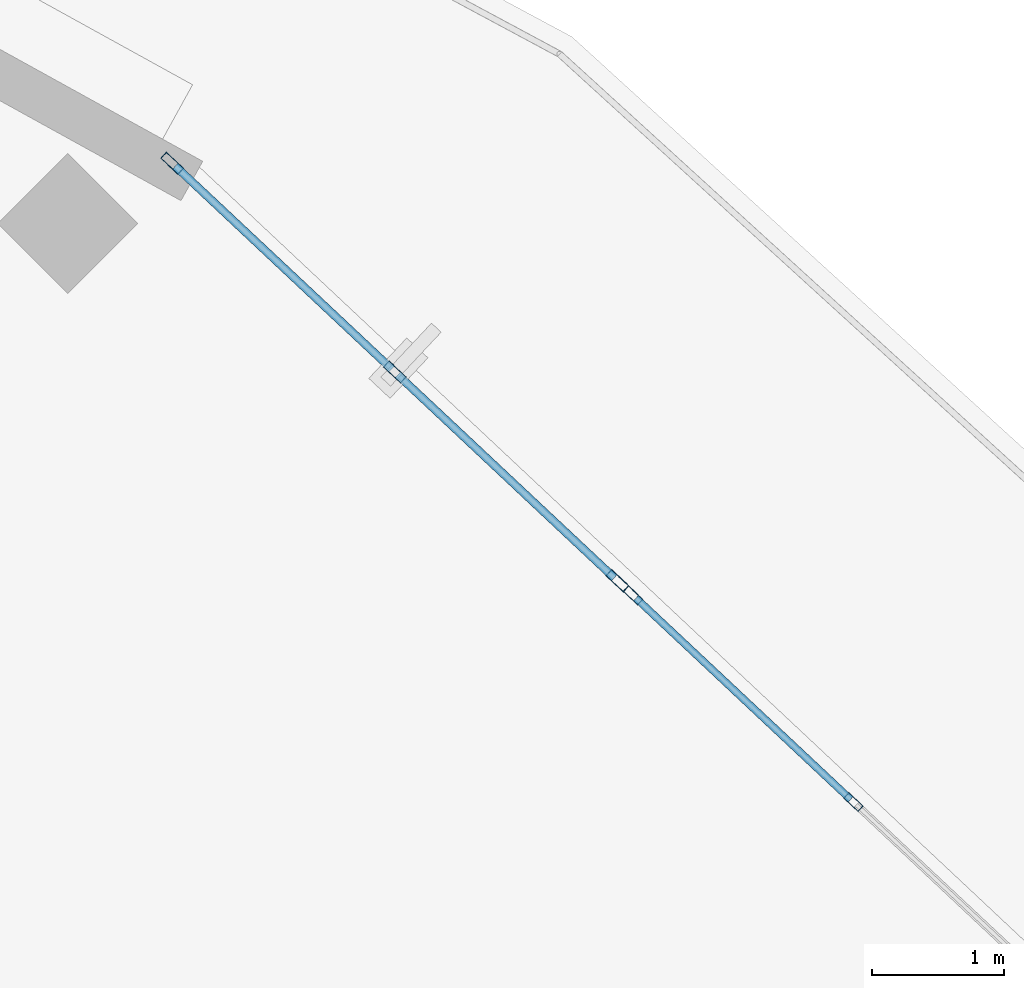
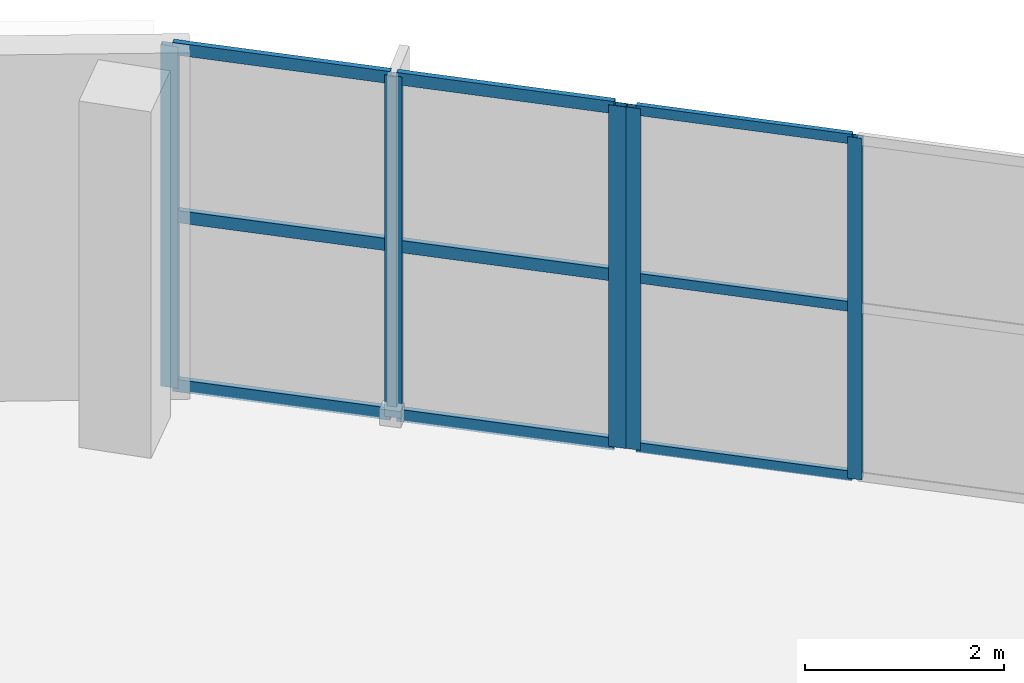
# One storey, part 59 of 107: 14 members, 2 elements without a shape of their own.
"""IFC4 building model written with IfcOpenShell, lengths in metres."""

from ifc_helpers import new_model, si_unit, direction, frame, origin, origin_2d, place, context, subcontext, project, spatial, hollow_rectangle, extrude, material, layer, layer_set, material_profile, profile_set, type_object, element, aggregate, save


model = new_model("IFC4")

# Units and contexts
model_context = context("Model", 3, precision=1e-05, world=origin(), true_north=direction((0.0, 1.0)))
body_context = subcontext(model_context, "Body", "Model", "MODEL_VIEW")
ifc_project = project(units=[si_unit("LENGTHUNIT", "METRE"), si_unit("AREAUNIT", "SQUARE_METRE"), si_unit("VOLUMEUNIT", "CUBIC_METRE"), si_unit("PLANEANGLEUNIT", "RADIAN"), si_unit("MASSUNIT", "GRAM", prefix="KILO")], contexts=[model_context])

# Site, building, storey
site_placement = place(None, origin())
site = spatial("IfcSite", under=ifc_project, at=site_placement, CompositionType="ELEMENT")
building_placement = place(site_placement, origin())
building = spatial("IfcBuilding", under=site, at=building_placement, Name="Kalgoora Escarpment Arena", CompositionType="ELEMENT")
storey_placement = place(building_placement, frame((0.0, 0.0, 5.39990234375)))
storey = spatial("IfcBuildingStorey", under=building, at=storey_placement, Name="L01", CompositionType="ELEMENT", Elevation=5.39990234375)

# Curtain wall, members
ifc_material_1 = material(Name=" Champagne anodised aluminium & double-glazed low-E", Category="aluminium")
ifc_layer_1 = layer(ifc_material_1, 0.154052734375)
ifc_layer_set_1 = layer_set([ifc_layer_1], Name="CW-UNIT-11")
curtain_wall_type_1 = type_object("IfcCurtainWallType", Name="CW-UNIT-11", PredefinedType="NOTDEFINED", material=ifc_layer_set_1)
curtain_wall_1_placement = place(storey_placement, origin())
curtain_wall_1 = element("IfcCurtainWall", 1, at=curtain_wall_1_placement, inside=storey, type_object=curtain_wall_type_1, Name="L01 unitised facade curtain wall 030", PredefinedType="NOTDEFINED")
ifc_material_2 = material(Name="Anodised aluminium 6063-T6", Category="aluminium")
ifc_material_profile_1 = material_profile(ifc_material_2, hollow_rectangle(XDim=0.06005859375, YDim=0.14990234375, WallThickness=0.00341796875, at=origin_2d()))
ifc_profile_set_1 = profile_set([ifc_material_profile_1], Name="Anodised aluminium 6063-T6")
member_type_1 = type_object("IfcMemberType", Name="MEM-CW-MULL-150", PredefinedType="MULLION", material=ifc_profile_set_1)
member_1_placement = place(storey_placement, frame((157.35107421875, 104.88134765625, 0.02001953125), z_axis=(0.0, 0.0, 1.0), x_axis=(0.684029332713, 0.729454503029, 0.0)))
member_1 = element("IfcMember", 2, at=member_1_placement, type_object=member_type_1, Name="CW-11 mullion 1", PredefinedType="MULLION", context=body_context, shape_type="SweptSolid", body=[
    extrude(hollow_rectangle(XDim=0.06005859375, YDim=0.14990234375, WallThickness=0.00341796875, at=origin_2d()), origin(), (0.0, 0.0, 1.0), 4.190185546875),
])
member_2_placement = place(storey_placement, frame((159.02099609375, 103.3154296875, 0.02001953125), z_axis=(0.0, 0.0, 1.0), x_axis=(0.684029332713, 0.729454503029, 0.0)))
member_2 = element("IfcMember", 3, at=member_2_placement, type_object=member_type_1, Name="CW-11 mullion 2", PredefinedType="MULLION", context=body_context, shape_type="SweptSolid", body=[
    extrude(hollow_rectangle(XDim=0.06005859375, YDim=0.14990234375, WallThickness=0.00341796875, at=origin_2d()), origin(), (0.0, 0.0, 1.0), 4.190185546875),
])

ifc_material_3 = material(Name=" Champagne anodised aluminium & double-glazed low-E", Category="aluminium")
ifc_layer_2 = layer(ifc_material_3, 0.14990234375)
ifc_layer_set_2 = layer_set([ifc_layer_2], Name="CW-UNIT-10")
curtain_wall_type_2 = type_object("IfcCurtainWallType", Name="CW-UNIT-10", PredefinedType="NOTDEFINED", material=ifc_layer_set_2)
curtain_wall_2_placement = place(storey_placement, origin())
curtain_wall_2 = element("IfcCurtainWall", 4, at=curtain_wall_2_placement, inside=storey, type_object=curtain_wall_type_2, Name="L01 unitised facade curtain wall 029", PredefinedType="NOTDEFINED")
ifc_material_4 = material(Name="Anodised aluminium 6063-T6", Category="aluminium")
ifc_material_profile_2 = material_profile(ifc_material_4, hollow_rectangle(XDim=0.06494140625, YDim=0.179931640625, WallThickness=0.00390625, at=origin_2d()))
ifc_profile_set_2 = profile_set([ifc_material_profile_2], Name="Anodised aluminium 6063-T6")
member_type_2 = type_object("IfcMemberType", Name="MEM-CW-MULL-180", PredefinedType="MULLION", material=ifc_profile_set_2)
member_3_placement = place(storey_placement, frame((153.85986328125, 108.1552734375, 0.02001953125), z_axis=(0.0, 0.0, 1.0), x_axis=(0.684037612676, 0.729446738593, 0.0)))
member_3 = element("IfcMember", 5, at=member_3_placement, type_object=member_type_2, Name="CW-10 mullion 1", PredefinedType="MULLION", context=body_context, shape_type="SweptSolid", body=[
    extrude(hollow_rectangle(XDim=0.06494140625, YDim=0.179931640625, WallThickness=0.00390625, at=origin_2d()), origin(), (0.0, 0.0, 1.0), 4.190185546875),
])
member_4_placement = place(storey_placement, frame((155.546142578125, 106.57373046875, 0.02001953125), z_axis=(0.0, 0.0, 1.0), x_axis=(0.684037612676, 0.729446738593, 0.0)))
member_4 = element("IfcMember", 6, at=member_4_placement, type_object=member_type_2, Name="CW-10 mullion 2", PredefinedType="MULLION", context=body_context, shape_type="SweptSolid", body=[
    extrude(hollow_rectangle(XDim=0.06494140625, YDim=0.179931640625, WallThickness=0.00390625, at=origin_2d()), origin(), (0.0, 0.0, 1.0), 4.190185546875),
])
member_5_placement = place(storey_placement, frame((157.232421875, 104.992431640625, 0.02001953125), z_axis=(0.0, 0.0, 1.0), x_axis=(0.684037612676, 0.729446738593, 0.0)))
member_5 = element("IfcMember", 7, at=member_5_placement, type_object=member_type_2, Name="CW-10 mullion 3", PredefinedType="MULLION", context=body_context, shape_type="SweptSolid", body=[
    extrude(hollow_rectangle(XDim=0.06494140625, YDim=0.179931640625, WallThickness=0.00390625, at=origin_2d()), origin(), (0.0, 0.0, 1.0), 4.190185546875),
])

# Member
ifc_material_5 = material(Name="Anodised aluminium 6063-T6", Category="aluminium")
ifc_material_profile_3 = material_profile(ifc_material_5, hollow_rectangle(XDim=0.054931640625, YDim=0.1201171875, WallThickness=0.003173828125, at=origin_2d()))
ifc_profile_set_3 = profile_set([ifc_material_profile_3], Name="Anodised aluminium 6063-T6")
member_type_3 = type_object("IfcMemberType", Name="MEM-CW-TRAN-120", PredefinedType="USERDEFINED", material=ifc_profile_set_3)
member_6_placement = place(storey_placement, frame((157.373046875, 104.86083984375, 0.047607421875), z_axis=(0.729414236644, -0.684072270583, 0.0), x_axis=(0.684072270583, 0.729414236644, 0.0)))
member_6 = element("IfcMember", 8, at=member_6_placement, type_object=member_type_3, Name="CW-11 transom 1.1", ObjectType="TRANSOM", PredefinedType="USERDEFINED", context=body_context, shape_type="SweptSolid", body=[
    extrude(hollow_rectangle(XDim=0.054931640625, YDim=0.1201171875, WallThickness=0.003173828125, at=origin_2d()), origin(), (0.0, 0.0, 1.0), 2.229248046875),
])

member_7_placement = place(storey_placement, frame((157.373046875, 104.86083984375, 2.125), z_axis=(0.729414236644, -0.684072270583, 0.0), x_axis=(0.684072270583, 0.729414236644, 0.0)))
member_7 = element("IfcMember", 9, at=member_7_placement, type_object=member_type_3, Name="CW-11 transom 1.2", ObjectType="TRANSOM", PredefinedType="USERDEFINED", context=body_context, shape_type="SweptSolid", body=[
    extrude(hollow_rectangle(XDim=0.054931640625, YDim=0.1201171875, WallThickness=0.003173828125, at=origin_2d()), origin(), (0.0, 0.0, 1.0), 2.229248046875),
])

member_8_placement = place(storey_placement, frame((157.373046875, 104.86083984375, 4.1826171875), z_axis=(0.729414236644, -0.684072270583, 0.0), x_axis=(0.684072270583, 0.729414236644, 0.0)))
member_8 = element("IfcMember", 10, at=member_8_placement, type_object=member_type_3, Name="CW-11 transom 1.3", ObjectType="TRANSOM", PredefinedType="USERDEFINED", context=body_context, shape_type="SweptSolid", body=[
    extrude(hollow_rectangle(XDim=0.054931640625, YDim=0.1201171875, WallThickness=0.003173828125, at=origin_2d()), origin(), (0.0, 0.0, 1.0), 2.229248046875),
])

aggregate(curtain_wall_1, [member_1, member_2, member_6, member_7, member_8])

ifc_material_6 = material(Name="Anodised aluminium 6063-T6", Category="aluminium")
ifc_material_profile_4 = material_profile(ifc_material_6, hollow_rectangle(XDim=0.06005859375, YDim=0.14990234375, WallThickness=0.00341796875, at=origin_2d()))
ifc_profile_set_4 = profile_set([ifc_material_profile_4], Name="Anodised aluminium 6063-T6")
member_type_4 = type_object("IfcMemberType", Name="MEM-CW-TRAN-150", PredefinedType="USERDEFINED", material=ifc_profile_set_4)
member_9_placement = place(storey_placement, frame((153.883544921875, 108.133056640625, 0.050048828125), z_axis=(0.729452482327, -0.684031487599, 0.0), x_axis=(0.684031487599, 0.729452482327, 0.0)))
member_9 = element("IfcMember", 11, at=member_9_placement, type_object=member_type_4, Name="CW-10 transom 1.1", ObjectType="TRANSOM", PredefinedType="USERDEFINED", context=body_context, shape_type="SweptSolid", body=[
    extrude(hollow_rectangle(XDim=0.06005859375, YDim=0.14990234375, WallThickness=0.00341796875, at=origin_2d()), origin(), (0.0, 0.0, 1.0), 2.246826171875),
])

member_10_placement = place(storey_placement, frame((153.883544921875, 108.133056640625, 2.125), z_axis=(0.729452482327, -0.684031487599, 0.0), x_axis=(0.684031487599, 0.729452482327, 0.0)))
member_10 = element("IfcMember", 12, at=member_10_placement, type_object=member_type_4, Name="CW-10 transom 1.2", ObjectType="TRANSOM", PredefinedType="USERDEFINED", context=body_context, shape_type="SweptSolid", body=[
    extrude(hollow_rectangle(XDim=0.06005859375, YDim=0.14990234375, WallThickness=0.00341796875, at=origin_2d()), origin(), (0.0, 0.0, 1.0), 2.246826171875),
])

member_11_placement = place(storey_placement, frame((153.883544921875, 108.133056640625, 4.18017578125), z_axis=(0.729452482327, -0.684031487599, 0.0), x_axis=(0.684031487599, 0.729452482327, 0.0)))
member_11 = element("IfcMember", 13, at=member_11_placement, type_object=member_type_4, Name="CW-10 transom 1.3", ObjectType="TRANSOM", PredefinedType="USERDEFINED", context=body_context, shape_type="SweptSolid", body=[
    extrude(hollow_rectangle(XDim=0.06005859375, YDim=0.14990234375, WallThickness=0.00341796875, at=origin_2d()), origin(), (0.0, 0.0, 1.0), 2.246826171875),
])

member_12_placement = place(storey_placement, frame((155.56982421875, 106.551513671875, 0.050048828125), z_axis=(0.729452482327, -0.684031487599, 0.0), x_axis=(0.684031487599, 0.729452482327, 0.0)))
member_12 = element("IfcMember", 14, at=member_12_placement, type_object=member_type_4, Name="CW-10 transom 2.1", ObjectType="TRANSOM", PredefinedType="USERDEFINED", context=body_context, shape_type="SweptSolid", body=[
    extrude(hollow_rectangle(XDim=0.06005859375, YDim=0.14990234375, WallThickness=0.00341796875, at=origin_2d()), origin(), (0.0, 0.0, 1.0), 2.246826171875),
])

member_13_placement = place(storey_placement, frame((155.56982421875, 106.551513671875, 2.125), z_axis=(0.729452482327, -0.684031487599, 0.0), x_axis=(0.684031487599, 0.729452482327, 0.0)))
member_13 = element("IfcMember", 15, at=member_13_placement, type_object=member_type_4, Name="CW-10 transom 2.2", ObjectType="TRANSOM", PredefinedType="USERDEFINED", context=body_context, shape_type="SweptSolid", body=[
    extrude(hollow_rectangle(XDim=0.06005859375, YDim=0.14990234375, WallThickness=0.00341796875, at=origin_2d()), origin(), (0.0, 0.0, 1.0), 2.246826171875),
])

member_14_placement = place(storey_placement, frame((155.56982421875, 106.551513671875, 4.18017578125), z_axis=(0.729452482327, -0.684031487599, 0.0), x_axis=(0.684031487599, 0.729452482327, 0.0)))
member_14 = element("IfcMember", 16, at=member_14_placement, type_object=member_type_4, Name="CW-10 transom 2.3", ObjectType="TRANSOM", PredefinedType="USERDEFINED", context=body_context, shape_type="SweptSolid", body=[
    extrude(hollow_rectangle(XDim=0.06005859375, YDim=0.14990234375, WallThickness=0.00341796875, at=origin_2d()), origin(), (0.0, 0.0, 1.0), 2.246826171875),
])

aggregate(curtain_wall_2, [member_3, member_4, member_5, member_9, member_10, member_11, member_12, member_13, member_14])

save(model, "model.ifc")
